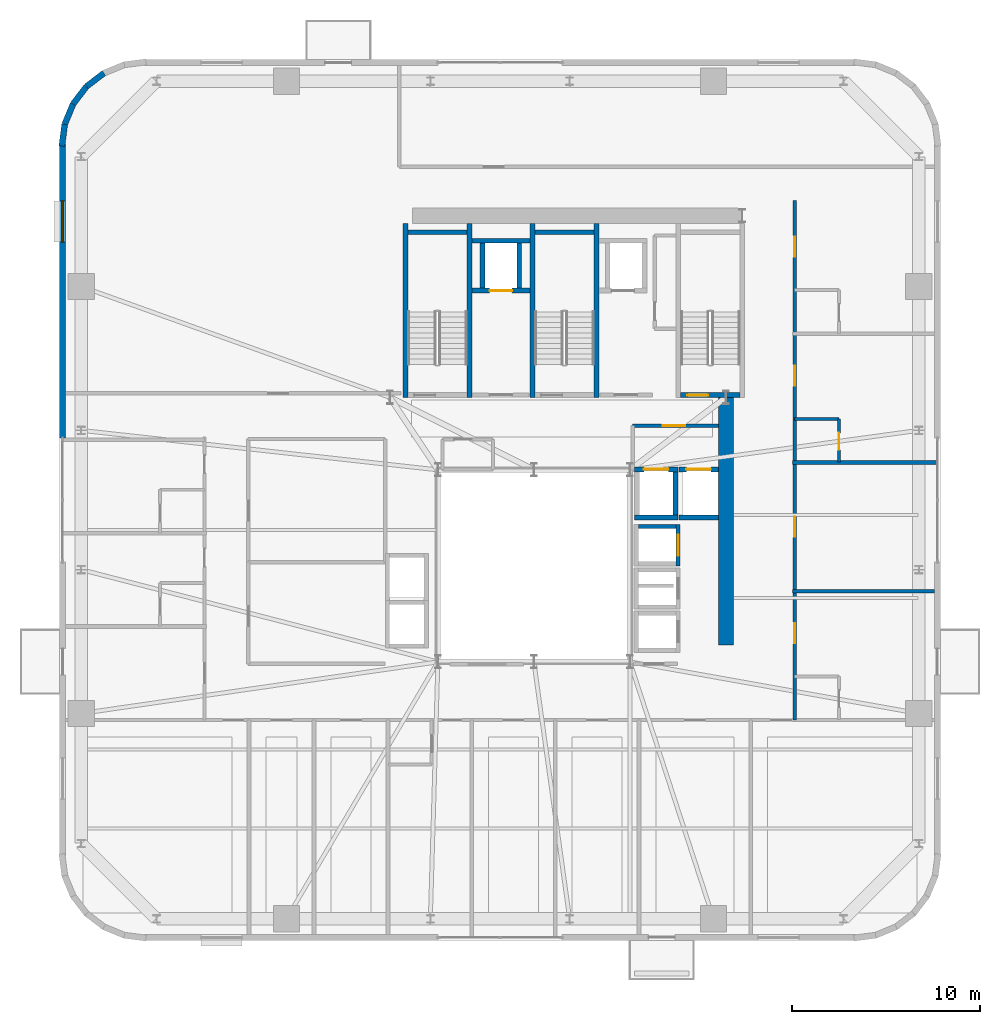
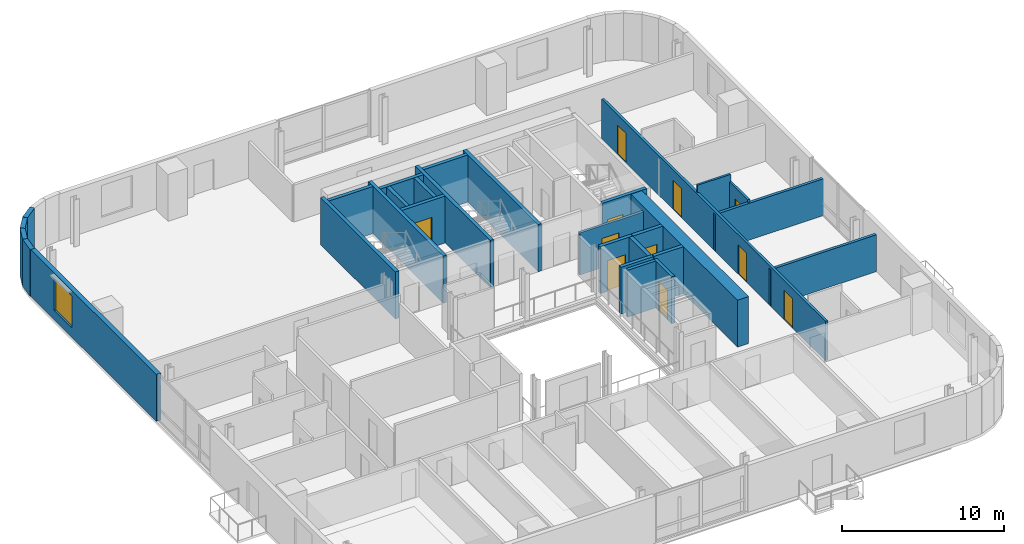
# One storey, part 9 of 12: 30 walls, 11 doors, 1 window, 12 openings.
"""IFC4 building model written with IfcOpenShell, lengths in metres."""

import ifcopenshell
import ifcopenshell.guid

model = None  # the IFC model being written
_history = None  # IfcOwnerHistory: only IFC2X3 demands one
_inside = {}  # id of a spatial element -> (the spatial element, [elements in it])
_under = {}  # id of a project, library or spatial element -> (it, [spatial elements below it])
_declared = {}  # id of a project -> (the project, [libraries it declares])
_typed = {}  # id of a type object -> (the type object, [elements of that type])
_made_of = {}  # id of a material, layer set ... -> (it, [elements and type objects made of it])


def new_model(schema):
    """Start an empty IFC model of exactly this schema.

    Asked for "IFC4X3", IfcOpenShell would pick the latest addendum, in which some entities
    have other attributes; the version numbers below select the first issue.
    IFC2X3 requires an IfcOwnerHistory on every rooted entity: one is made here for all.
    """
    global model, _history
    if schema == "IFC4X3":
        model = ifcopenshell.file(schema_version=(4, 3, 0, 0))
    else:
        model = ifcopenshell.file(schema=schema)
    _inside.clear()
    _under.clear()
    _declared.clear()
    _typed.clear()
    _made_of.clear()
    _history = None
    if model.schema == "IFC2X3":
        org = make("IfcOrganization", Name="unknown")
        user = make(
            "IfcPersonAndOrganization",
            ThePerson=make("IfcPerson", FamilyName="unknown"),
            TheOrganization=org,
        )
        app = make(
            "IfcApplication",
            ApplicationDeveloper=org,
            Version="unknown",
            ApplicationFullName="unknown",
            ApplicationIdentifier="unknown",
        )
        _history = make(
            "IfcOwnerHistory",
            OwningUser=user,
            OwningApplication=app,
            ChangeAction="ADDED",
            CreationDate=0,
        )
    return model


def make(cls, **values):
    """One entity of the class cls with the attributes given. An attribute that is None is left unset."""
    return model.create_entity(
        cls, **{name: value for name, value in values.items() if value is not None}
    )


def rooted(cls, **values):
    """An entity with a GlobalId (a new one), such as an element, a storey or a relation."""
    return make(cls, GlobalId=ifcopenshell.guid.new(), OwnerHistory=_history, **values)


def si_unit(unit_type, name, prefix=None):
    """IfcSIUnit, for example si_unit("LENGTHUNIT", "METRE", prefix="MILLI")."""
    return make("IfcSIUnit", UnitType=unit_type, Prefix=prefix, Name=name)


def assignment(units):
    """IfcUnitAssignment: the units of a project."""
    return None if units is None else make("IfcUnitAssignment", Units=units)


def point(xyz):
    """IfcCartesianPoint."""
    return None if xyz is None else make("IfcCartesianPoint", Coordinates=xyz)


def direction(xyz):
    """IfcDirection."""
    return None if xyz is None else make("IfcDirection", DirectionRatios=xyz)


def frame(location, z_axis=None, x_axis=None):
    """IfcAxis2Placement3D, a coordinate frame: its origin and axes. An axis left out is left unset."""
    return make(
        "IfcAxis2Placement3D",
        Location=point(location),
        Axis=direction(z_axis),
        RefDirection=direction(x_axis),
    )


def frame_2d(location, x_axis=None):
    """IfcAxis2Placement2D, a coordinate frame in the plane: its origin and x axis."""
    return make(
        "IfcAxis2Placement2D", Location=point(location), RefDirection=direction(x_axis)
    )


def origin():
    """The frame at (0, 0, 0) with its axes left unset."""
    return frame((0.0, 0.0, 0.0))


def place(relative_to, where):
    """IfcLocalPlacement: puts the frame where relative to a parent placement (None: the world)."""
    return make(
        "IfcLocalPlacement", PlacementRelTo=relative_to, RelativePlacement=where
    )


def context(
    kind, dimensions, precision=None, world=None, true_north=None, identifier=None
):
    """IfcGeometricRepresentationContext, for example the 3D "Model" context."""
    return make(
        "IfcGeometricRepresentationContext",
        ContextIdentifier=identifier,
        ContextType=kind,
        CoordinateSpaceDimension=dimensions,
        Precision=precision,
        WorldCoordinateSystem=world,
        TrueNorth=true_north,
    )


def subcontext(parent, identifier, kind, view, scale=None):
    """IfcGeometricRepresentationSubContext, for example "Body" below "Model"."""
    return make(
        "IfcGeometricRepresentationSubContext",
        ContextIdentifier=identifier,
        ContextType=kind,
        ParentContext=parent,
        TargetScale=scale,
        TargetView=view,
    )


def project(units=None, contexts=None):
    """IfcProject with its units and contexts."""
    return rooted(
        "IfcProject",
        Name="project",
        RepresentationContexts=contexts,
        UnitsInContext=assignment(units),
    )


def spatial(cls, under=None, at=None, **own):
    """A site, building, storey or space (cls), placed at a placement, below another one or the project."""
    s = rooted(cls, ObjectPlacement=at, **own)
    if under is not None:
        _under.setdefault(under.id(), (under, []))[1].append(s)
    return s


def profile(cls, at=None, kind="AREA", **sizes):
    """A parametric profile (cls). Its sizes go by their IFC names, for example OverallWidth=200.0."""
    return make(cls, ProfileType=kind, Position=at, **sizes)


def rectangle(**sizes):
    """IfcRectangleProfileDef."""
    return profile("IfcRectangleProfileDef", **sizes)


def extrude(swept, where, along, depth):
    """IfcExtrudedAreaSolid: the profile swept, set in the frame where, extruded along a direction by depth."""
    return make(
        "IfcExtrudedAreaSolid",
        SweptArea=swept,
        Position=where,
        ExtrudedDirection=direction(along),
        Depth=depth,
    )


def shape(context_of_items, identifier, shape_type, items):
    """IfcShapeRepresentation: the items that make up one representation, for example the "Body"."""
    return make(
        "IfcShapeRepresentation",
        ContextOfItems=context_of_items,
        RepresentationIdentifier=identifier,
        RepresentationType=shape_type,
        Items=items,
    )


def source(mapping_origin, context_of_items, identifier, shape_type, items):
    """IfcRepresentationMap: a shape defined once, which mapped items show again and again."""
    return make(
        "IfcRepresentationMap",
        MappingOrigin=mapping_origin,
        MappedRepresentation=shape(context_of_items, identifier, shape_type, items),
    )


def transform(
    local_origin,
    x_axis=None,
    y_axis=None,
    z_axis=None,
    scale=None,
    scale2=None,
    scale3=None,
    uniform=True,
):
    """IfcCartesianTransformationOperator3D, or its non-uniform kind. x_axis, y_axis, z_axis: its Axis1, 2, 3."""
    if uniform:
        return make(
            "IfcCartesianTransformationOperator3D",
            Axis1=direction(x_axis),
            Axis2=direction(y_axis),
            LocalOrigin=point(local_origin),
            Scale=scale,
            Axis3=direction(z_axis),
        )
    return make(
        "IfcCartesianTransformationOperator3DnonUniform",
        Axis1=direction(x_axis),
        Axis2=direction(y_axis),
        LocalOrigin=point(local_origin),
        Scale=scale,
        Axis3=direction(z_axis),
        Scale2=scale2,
        Scale3=scale3,
    )


def mapped(mapping_source, mapping_target):
    """IfcMappedItem: shows the shape of a source again, moved by a transform."""
    return make(
        "IfcMappedItem", MappingSource=mapping_source, MappingTarget=mapping_target
    )


def material(Name=None, Category=None):
    """IfcMaterial."""
    return make("IfcMaterial", Name=Name, Category=Category)


def layer(
    of_material, thickness, ventilated=None, Name=None, Category=None, Priority=None
):
    """IfcMaterialLayer: one layer of a wall or slab, of a material (None: an air gap)."""
    return make(
        "IfcMaterialLayer",
        Material=of_material,
        LayerThickness=thickness,
        IsVentilated=ventilated,
        Name=Name,
        Category=Category,
        Priority=Priority,
    )


def layer_set(layers, Name=None):
    """IfcMaterialLayerSet."""
    return make("IfcMaterialLayerSet", MaterialLayers=layers, LayerSetName=Name)


def made_of(thing, what):
    """Note that an element or type object is made of a material, layer set ...; save() writes the relation."""
    if what is not None:
        _made_of.setdefault(what.id(), (what, []))[1].append(thing)
    return thing


def type_object(cls, material=None, **own):
    """A type object (cls), such as IfcWallType, which elements share."""
    return made_of(rooted(cls, **own), material)


def element(
    cls,
    number,
    at=None,
    inside=None,
    cuts=None,
    type_object=None,
    material=None,
    context=None,
    identifier="Body",
    shape_type=None,
    held_by="IfcProductDefinitionShape",
    body=None,
    shapes=None,
    **own,
):
    """One element of the class cls, such as IfcWall. Its Tag is "e" and its number.

    at: its placement. inside: the storey or other place that contains it. cuts: it is an
    opening in that element (IfcRelVoidsElement). A single representation is given by context,
    identifier, shape_type and body (its items); several are given by shapes. held_by: the class
    of the entity that holds the representations. save() writes the other relations.
    """
    e = rooted(cls, Tag="e%d" % number, ObjectPlacement=at, **own)
    if body is not None:
        shapes = [shape(context, identifier, shape_type, body)]
    if shapes is not None:
        e.Representation = make(held_by, Representations=shapes)
    if inside is not None:
        _inside.setdefault(inside.id(), (inside, []))[1].append(e)
    if cuts is not None:
        rooted(
            "IfcRelVoidsElement", RelatingBuildingElement=cuts, RelatedOpeningElement=e
        )
    if type_object is not None:
        _typed.setdefault(type_object.id(), (type_object, []))[1].append(e)
    return made_of(e, material)


def fill(opening, filler):
    """IfcRelFillsElement: the door or window that sits in an opening."""
    return rooted(
        "IfcRelFillsElement",
        RelatingOpeningElement=opening,
        RelatedBuildingElement=filler,
    )


def aggregate(whole, parts):
    """IfcRelAggregates: a whole, such as a stair, and the parts it consists of."""
    return rooted("IfcRelAggregates", RelatingObject=whole, RelatedObjects=parts)


def save(model, path):
    """Write the relations noted so far, then the file.

    IfcRelAggregates (storeys below a building ...), IfcRelContainedInSpatialStructure (elements
    in a storey), IfcRelDefinesByType, IfcRelAssociatesMaterial and IfcRelDeclares: one each for
    every whole, place, type object, material and project.
    """
    for whole, parts in _under.values():
        aggregate(whole, parts)
    for where, things in _inside.values():
        rooted(
            "IfcRelContainedInSpatialStructure",
            RelatedElements=things,
            RelatingStructure=where,
        )
    for kind, things in _typed.values():
        rooted("IfcRelDefinesByType", RelatedObjects=things, RelatingType=kind)
    for what, things in _made_of.values():
        rooted("IfcRelAssociatesMaterial", RelatedObjects=things, RelatingMaterial=what)
    for by, libraries in _declared.values():
        rooted("IfcRelDeclares", RelatingContext=by, RelatedDefinitions=libraries)
    model.write(path)


model = new_model("IFC4")

# Units and contexts
model_context = context("Model", 3, precision=1e-05, world=origin(), true_north=direction((0.0, 1.0)))
body_context = subcontext(model_context, "Body", "Model", "MODEL_VIEW")
ifc_project = project(units=[si_unit("LENGTHUNIT", "METRE"), si_unit("AREAUNIT", "SQUARE_METRE"), si_unit("VOLUMEUNIT", "CUBIC_METRE"), si_unit("PLANEANGLEUNIT", "RADIAN"), si_unit("MASSUNIT", "GRAM", prefix="KILO")], contexts=[model_context])

# Site, building, storey
site_placement = place(None, origin())
site = spatial("IfcSite", under=ifc_project, at=site_placement, CompositionType="ELEMENT")
building_placement = place(site_placement, origin())
building = spatial("IfcBuilding", under=site, at=building_placement, Name="Vardaveli Station Tower", CompositionType="ELEMENT")
storey_placement = place(building_placement, frame((0.0, 0.0, 214.800048828125)))
storey = spatial("IfcBuildingStorey", under=building, at=storey_placement, Name="L55", CompositionType="ELEMENT", Elevation=214.800048828125)

# Wall
ifc_material_1 = material(Name="Concrete C50/60", Category="concrete")
ifc_layer_1 = layer(ifc_material_1, 0.800048828125, Name="Concrete C50/60")
ifc_layer_set_1 = layer_set([ifc_layer_1], Name="Concrete C50/60")
wall_type_1 = type_object("IfcWallType", Name="WAL-CORE-800", PredefinedType="SHEAR", material=ifc_layer_set_1)
shared_shape_1 = source(origin(), body_context, "Body", "SweptSolid", [
    extrude(rectangle(XDim=13.14990234375, YDim=0.800048828125, at=frame_2d((6.574951171875, 0.0))), origin(), (0.0, 0.0, 1.0), 3.530029296875),
])
wall_1_placement = place(storey_placement, frame((46.5, 17.5, 0.0), z_axis=(0.0, 0.0, 1.0), x_axis=(0.0, 1.0, 0.0)))
element("IfcWall", 1, at=wall_1_placement, inside=storey, type_object=wall_type_1, Name="SW-L55-EAST2", PredefinedType="SHEAR", context=body_context, shape_type="MappedRepresentation", body=[
    mapped(shared_shape_1, transform((0.0, 0.0, 0.0), scale=1.0)),
])

# Wall, opening, window
ifc_material_2 = material(Name="Precast concrete C45/55", Category="concrete")
ifc_layer_2 = layer(ifc_material_2, 0.320068359375, Name="Precast concrete C45/55")
ifc_layer_set_2 = layer_set([ifc_layer_2], Name="Precast concrete C45/55")
wall_type_2 = type_object("IfcWallType", Name="WAL-EXT-STONE-320", PredefinedType="SOLIDWALL", material=ifc_layer_set_2)
shared_shape_2 = source(origin(), body_context, "Body", "SweptSolid", [
    extrude(rectangle(XDim=15.60009765625, YDim=0.320068359375, at=frame_2d((7.800048828125, 0.0))), origin(), (0.0, 0.0, 1.0), 3.530029296875),
])
wall_2_placement = place(storey_placement, frame((11.260009765625, 44.10009765625, 0.0), z_axis=(0.0, 0.0, 1.0), x_axis=(0.0, -1.0, 0.0)))
wall_2 = element("IfcWall", 2, at=wall_2_placement, inside=storey, type_object=wall_type_2, Name="EW-L55-W1", PredefinedType="SOLIDWALL", context=body_context, shape_type="MappedRepresentation", body=[
    mapped(shared_shape_2, transform((0.0, 0.0, 0.0), scale=1.0)),
])
shared_shape_3 = source(origin(), body_context, "Body", "SweptSolid", [
    extrude(rectangle(XDim=2.199951171875, YDim=2.39990234375, at=frame_2d((1.10009765625, 1.199951171875))), frame((0.0, 0.169921875, 0.0), z_axis=(0.0, -1.0, 0.0), x_axis=(1.0, 0.0, 0.0)), (0.0, 0.0, 1.0), 0.340087890625),
])
opening_1_placement = place(wall_2_placement, frame((3.0048828125, 0.0, 0.719970703125)))
opening_1 = element("IfcOpeningElement", 3, at=opening_1_placement, cuts=wall_2, Name="Opening W-03", PredefinedType="OPENING", context=body_context, shape_type="MappedRepresentation", body=[
    mapped(shared_shape_3, transform((0.0, 0.0, 0.0), scale=1.0)),
])
ifc_material_3 = material(Name="Low-E solar-control glass", Category="glass")
window_type = type_object("IfcWindowType", Name="WIN-LOG-2200x2400", PartitioningType="SINGLE_PANEL", PredefinedType="WINDOW", material=ifc_material_3)
shared_shape_4 = source(origin(), body_context, "Body", "SweptSolid", [
    extrude(rectangle(XDim=2.199951171875, YDim=2.39990234375, at=frame_2d((1.10009765625, 1.199951171875))), frame((0.0, 0.030029296875, 0.0), z_axis=(0.0, -1.0, 0.0), x_axis=(1.0, 0.0, 0.0)), (0.0, 0.0, 1.0), 0.06005859375),
])
window_placement = place(opening_1_placement, origin())
window = element("IfcWindow", 4, at=window_placement, inside=storey, type_object=window_type, Name="WN-L55-W1", OverallHeight=2.39990234375, OverallWidth=2.199951171875, PartitioningType="SINGLE_PANEL", PredefinedType="WINDOW", context=body_context, shape_type="MappedRepresentation", body=[
    mapped(shared_shape_4, transform((0.0, 0.0, 0.0), scale=1.0)),
])
fill(opening_1, window)

# Walls
shared_shape_5 = source(origin(), body_context, "Body", "SweptSolid", [
    extrude(rectangle(XDim=1.1689453125, YDim=0.320068359375, at=frame_2d((0.58447265625, 0.0))), origin(), (0.0, 0.0, 1.0), 3.530029296875),
])
wall_3_placement = place(storey_placement, frame((12.53125, 47.1689453125, 0.0), z_axis=(0.0, 0.0, 1.0), x_axis=(-0.608387696831, -0.793639975269, 0.0)))
element("IfcWall", 5, at=wall_3_placement, inside=storey, type_object=wall_type_2, Name="EW-L55-CR4-4", PredefinedType="SOLIDWALL", context=body_context, shape_type="MappedRepresentation", body=[
    mapped(shared_shape_5, transform((0.0, 0.0, 0.0), scale=1.0)),
])
shared_shape_6 = source(origin(), body_context, "Body", "SweptSolid", [
    extrude(rectangle(XDim=1.168701171875, YDim=0.320068359375, at=frame_2d((0.58447265625, 0.0))), origin(), (0.0, 0.0, 1.0), 3.530029296875),
])
wall_4_placement = place(storey_placement, frame((13.458740234375, 47.8798828125, 0.0), z_axis=(0.0, 0.0, 1.0), x_axis=(-0.793663520347, -0.608356981114, 0.0)))
element("IfcWall", 6, at=wall_4_placement, inside=storey, type_object=wall_type_2, Name="EW-L55-CR4-3", PredefinedType="SOLIDWALL", context=body_context, shape_type="MappedRepresentation", body=[
    mapped(shared_shape_6, transform((0.0, 0.0, 0.0), scale=1.0)),
])
shared_shape_7 = source(origin(), body_context, "Body", "SweptSolid", [
    extrude(rectangle(XDim=1.17041015625, YDim=0.320068359375, at=frame_2d((0.585205078125, 0.0))), origin(), (0.0, 0.0, 1.0), 3.530029296875),
])
wall_5_placement = place(storey_placement, frame((11.37451171875, 45.16015625, 0.0), z_axis=(0.0, 0.0, 1.0), x_axis=(-0.128295670475, -0.991735963317, 0.0)))
element("IfcWall", 7, at=wall_5_placement, inside=storey, type_object=wall_type_2, Name="EW-L55-CR4-6", PredefinedType="SOLIDWALL", context=body_context, shape_type="MappedRepresentation", body=[
    mapped(shared_shape_7, transform((0.0, 0.0, 0.0), scale=1.0)),
])
shared_shape_8 = source(origin(), body_context, "Body", "SweptSolid", [
    extrude(rectangle(XDim=1.169189453125, YDim=0.320068359375, at=frame_2d((0.58447265625, 0.0))), origin(), (0.0, 0.0, 1.0), 3.530029296875),
])
wall_6_placement = place(storey_placement, frame((11.820068359375, 46.2412109375, 0.0), z_axis=(0.0, 0.0, 1.0), x_axis=(-0.381054331552, -0.924552646638, 0.0)))
element("IfcWall", 8, at=wall_6_placement, inside=storey, type_object=wall_type_2, Name="EW-L55-CR4-5", PredefinedType="SOLIDWALL", context=body_context, shape_type="MappedRepresentation", body=[
    mapped(shared_shape_8, transform((0.0, 0.0, 0.0), scale=1.0)),
])
ifc_material_4 = material(Name="Concrete C40/50", Category="concrete")
ifc_layer_3 = layer(ifc_material_4, 0.25, Name="Concrete C40/50")
ifc_layer_set_3 = layer_set([ifc_layer_3], Name="Concrete C40/50")
wall_type_3 = type_object("IfcWallType", Name="WAL-SHAFT-250", PredefinedType="SOLIDWALL", material=ifc_layer_set_3)
shared_shape_9 = source(origin(), body_context, "Body", "SweptSolid", [
    extrude(rectangle(XDim=9.25, YDim=0.25, at=frame_2d((4.625, 0.0))), origin(), (0.0, 0.0, 1.0), 3.550048828125),
])
for number, where, z_axis, x_axis, name in (
    (9, (29.47509765625, 30.64990234375, 0.0), (0.0, 0.0, 1.0), (0.0, 1.0, 0.0), "W-L55-ST-1W"),
    (10, (32.875, 30.64990234375, 0.0), (0.0, 0.0, 1.0), (0.0, 1.0, 0.0), "W-L55-ST-1E"),
    (11, (36.22509765625, 30.64990234375, 0.0), (0.0, 0.0, 1.0), (0.0, 1.0, 0.0), "W-L55-ST-2W"),
    (12, (39.625, 30.64990234375, 0.0), (0.0, 0.0, 1.0), (0.0, 1.0, 0.0), "W-L55-ST-2E"),
):
    element("IfcWall", number, at=place(storey_placement, frame(where, z_axis=z_axis, x_axis=x_axis)), inside=storey, type_object=wall_type_3, Name=name, PredefinedType="SOLIDWALL", context=body_context, shape_type="MappedRepresentation", body=[
        mapped(shared_shape_9, transform((0.0, 0.0, 0.0), scale=1.0)),
    ])
shared_shape_10 = source(origin(), body_context, "Body", "SweptSolid", [
    extrude(rectangle(XDim=3.14990234375, YDim=0.25, at=frame_2d((1.574951171875, 0.0))), origin(), (0.0, 0.0, 1.0), 3.550048828125),
])
for number, where, z_axis, x_axis, name in (
    (13, (29.60009765625, 39.425048828125, 0.0), (0.0, 0.0, 1.0), (1.0, 0.0, 0.0), "W-L55-ST-1N"),
    (14, (36.35009765625, 39.425048828125, 0.0), (0.0, 0.0, 1.0), (1.0, 0.0, 0.0), "W-L55-ST-2N"),
):
    element("IfcWall", number, at=place(storey_placement, frame(where, z_axis=z_axis, x_axis=x_axis)), inside=storey, type_object=wall_type_3, Name=name, PredefinedType="SOLIDWALL", context=body_context, shape_type="MappedRepresentation", body=[
        mapped(shared_shape_10, transform((0.0, 0.0, 0.0), scale=1.0)),
    ])

# Wall, opening, door
wall_7_placement = place(storey_placement, frame((44.10009765625, 30.77490234375, 0.0), z_axis=(0.0, 0.0, 1.0), x_axis=(1.0, 0.0, 0.0)))
wall_7 = element("IfcWall", 15, at=wall_7_placement, inside=storey, type_object=wall_type_3, Name="W-L55-ST-3S", PredefinedType="SOLIDWALL", context=body_context, shape_type="MappedRepresentation", body=[
    mapped(shared_shape_10, transform((0.0, 0.0, 0.0), scale=1.0)),
])
shared_shape_11 = source(origin(), body_context, "Body", "SweptSolid", [
    extrude(rectangle(XDim=1.10009765625, YDim=2.199951171875, at=frame_2d((0.550048828125, 1.10009765625))), frame((0.0, 0.135009765625, 0.0), z_axis=(0.0, -1.0, 0.0), x_axis=(1.0, 0.0, 0.0)), (0.0, 0.0, 1.0), 0.27001953125),
])
opening_2_placement = place(wall_7_placement, frame((0.35009765625, 0.0, 0.0)))
opening_2 = element("IfcOpeningElement", 16, at=opening_2_placement, cuts=wall_7, Name="Opening D-04", PredefinedType="OPENING", context=body_context, shape_type="MappedRepresentation", body=[
    mapped(shared_shape_11, transform((0.0, 0.0, 0.0), scale=1.0)),
])
ifc_material_5 = material(Name="Steel smokeproof fire doorset", Category="steel")
door_type_1 = type_object("IfcDoorType", Name="DR-ST-1100x2200", OperationType="NOTDEFINED", PredefinedType="DOOR", material=ifc_material_5)
shared_shape_12 = source(origin(), body_context, "Body", "SweptSolid", [
    extrude(rectangle(XDim=1.10009765625, YDim=2.199951171875, at=frame_2d((0.550048828125, 1.10009765625))), frame((0.0, 0.02490234375, 0.0), z_axis=(0.0, -1.0, 0.0), x_axis=(1.0, 0.0, 0.0)), (0.0, 0.0, 1.0), 0.050048828125),
])
door_1_placement = place(opening_2_placement, origin())
door_1 = element("IfcDoor", 17, at=door_1_placement, inside=storey, type_object=door_type_1, Name="DST-3-L55", OperationType="SINGLE_SWING_LEFT", OverallHeight=2.199951171875, OverallWidth=1.10009765625, PredefinedType="DOOR", context=body_context, shape_type="MappedRepresentation", body=[
    mapped(shared_shape_12, transform((0.0, 0.0, 0.0), scale=1.0)),
])
fill(opening_2, door_1)

shared_shape_13 = source(origin(), body_context, "Body", "SweptSolid", [
    extrude(rectangle(XDim=3.10009765625, YDim=0.25, at=frame_2d((1.550048828125, 0.0))), origin(), (0.0, 0.0, 1.0), 3.530029296875),
])
wall_8_placement = place(storey_placement, frame((33.0, 36.324951171875, 0.0), z_axis=(0.0, 0.0, 1.0), x_axis=(1.0, 0.0, 0.0)))
wall_8 = element("IfcWall", 18, at=wall_8_placement, inside=storey, type_object=wall_type_3, Name="SHW-FFL-01-L55-S", PredefinedType="SOLIDWALL", context=body_context, shape_type="MappedRepresentation", body=[
    mapped(shared_shape_13, transform((0.0, 0.0, 0.0), scale=1.0)),
])
shared_shape_14 = source(origin(), body_context, "Body", "SweptSolid", [
    extrude(rectangle(XDim=1.199951171875, YDim=2.25, at=frame_2d((0.60009765625, 1.125))), frame((0.0, 0.135009765625, 0.0), z_axis=(0.0, -1.0, 0.0), x_axis=(1.0, 0.0, 0.0)), (0.0, 0.0, 1.0), 0.27001953125),
])
opening_3_placement = place(wall_8_placement, frame((0.949951171875, 0.0, 0.0)))
opening_3 = element("IfcOpeningElement", 19, at=opening_3_placement, cuts=wall_8, Name="Opening LD-02", PredefinedType="OPENING", context=body_context, shape_type="MappedRepresentation", body=[
    mapped(shared_shape_14, transform((0.0, 0.0, 0.0), scale=1.0)),
])
ifc_material_6 = material(Name="Brushed stainless steel", Category="steel")
door_type_2 = type_object("IfcDoorType", Name="DR-LD-1200x2250", OperationType="DOUBLE_DOOR_SLIDING", PredefinedType="DOOR", material=ifc_material_6)
shared_shape_15 = source(origin(), body_context, "Body", "SweptSolid", [
    extrude(rectangle(XDim=1.199951171875, YDim=2.25, at=frame_2d((0.60009765625, 1.125))), frame((0.0, 0.02490234375, 0.0), z_axis=(0.0, -1.0, 0.0), x_axis=(1.0, 0.0, 0.0)), (0.0, 0.0, 1.0), 0.050048828125),
])
door_2_placement = place(opening_3_placement, origin())
door_2 = element("IfcDoor", 20, at=door_2_placement, inside=storey, type_object=door_type_2, Name="LD-FFL-01-L55", OperationType="DOUBLE_DOOR_SLIDING", OverallHeight=2.25, OverallWidth=1.199951171875, PredefinedType="DOOR", context=body_context, shape_type="MappedRepresentation", body=[
    mapped(shared_shape_15, transform((0.0, 0.0, 0.0), scale=1.0)),
])
fill(opening_3, door_2)

# Walls
wall_9_placement = place(storey_placement, frame((33.0, 38.97509765625, 0.0), z_axis=(0.0, 0.0, 1.0), x_axis=(1.0, 0.0, 0.0)))
element("IfcWall", 21, at=wall_9_placement, inside=storey, type_object=wall_type_3, Name="SHW-FFL-01-L55-N", PredefinedType="SOLIDWALL", context=body_context, shape_type="MappedRepresentation", body=[
    mapped(shared_shape_13, transform((0.0, 0.0, 0.0), scale=1.0)),
])
shared_shape_16 = source(origin(), body_context, "Body", "SweptSolid", [
    extrude(rectangle(XDim=2.400146484375, YDim=0.25, at=frame_2d((1.2001953125, 0.0))), origin(), (0.0, 0.0, 1.0), 3.530029296875),
])
for number, where, z_axis, x_axis, name in (
    (22, (33.574951171875, 36.449951171875, 0.0), (0.0, 0.0, 1.0), (0.0, 1.0, 0.0), "SHW-FFL-01-L55-W"),
    (23, (35.52490234375, 36.449951171875, 0.0), (0.0, 0.0, 1.0), (0.0, 1.0, 0.0), "SHW-FFL-01-L55-E"),
):
    element("IfcWall", number, at=place(storey_placement, frame(where, z_axis=z_axis, x_axis=x_axis)), inside=storey, type_object=wall_type_3, Name=name, PredefinedType="SOLIDWALL", context=body_context, shape_type="MappedRepresentation", body=[
        mapped(shared_shape_16, transform((0.0, 0.0, 0.0), scale=1.0)),
    ])
ifc_layer_4 = layer(ifc_material_4, 0.219970703125, Name="Concrete C40/50")
ifc_layer_set_4 = layer_set([ifc_layer_4], Name="Concrete C40/50")
wall_type_4 = type_object("IfcWallType", Name="WAL-FFLOBBY-220", PredefinedType="SOLIDWALL", material=ifc_layer_set_4)
shared_shape_17 = source(origin(), body_context, "Body", "SweptSolid", [
    extrude(rectangle(XDim=2.0, YDim=0.219970703125, at=frame_2d((1.0, 0.0))), origin(), (0.0, 0.0, 1.0), 3.530029296875),
])
wall_10_placement = place(storey_placement, frame((41.85009765625, 23.784912109375, 0.0), z_axis=(0.0, 0.0, 1.0), x_axis=(1.0, 0.0, 0.0)))
element("IfcWall", 24, at=wall_10_placement, inside=storey, type_object=wall_type_4, Name="SHW-HL3-01-L55-N", PredefinedType="SOLIDWALL", context=body_context, shape_type="MappedRepresentation", body=[
    mapped(shared_shape_17, transform((0.0, 0.0, 0.0), scale=1.0)),
])

# Wall, opening, door
shared_shape_18 = source(origin(), body_context, "Body", "SweptSolid", [
    extrude(rectangle(XDim=2.18994140625, YDim=0.219970703125, at=frame_2d((1.094970703125, 0.0))), origin(), (0.0, 0.0, 1.0), 3.530029296875),
])
wall_11_placement = place(storey_placement, frame((43.9599609375, 21.705078125, 0.0), z_axis=(0.0, 0.0, 1.0), x_axis=(0.0, 1.0, 0.0)))
wall_11 = element("IfcWall", 25, at=wall_11_placement, inside=storey, type_object=wall_type_4, Name="SHW-HL3-01-L55-E", PredefinedType="SOLIDWALL", context=body_context, shape_type="MappedRepresentation", body=[
    mapped(shared_shape_18, transform((0.0, 0.0, 0.0), scale=1.0)),
])
shared_shape_19 = source(origin(), body_context, "Body", "SweptSolid", [
    extrude(rectangle(XDim=1.10009765625, YDim=2.199951171875, at=frame_2d((0.550048828125, 1.10009765625))), frame((0.0, 0.1201171875, 0.0), z_axis=(0.0, -1.0, 0.0), x_axis=(1.0, 0.0, 0.0)), (0.0, 0.0, 1.0), 0.239990234375),
])
opening_4_placement = place(wall_11_placement, frame((0.544921875, 0.0, 0.0)))
opening_4 = element("IfcOpeningElement", 26, at=opening_4_placement, cuts=wall_11, Name="Opening LD-01", PredefinedType="OPENING", context=body_context, shape_type="MappedRepresentation", body=[
    mapped(shared_shape_19, transform((0.0, 0.0, 0.0), scale=1.0)),
])
door_type_3 = type_object("IfcDoorType", Name="DR-LD-1100x2200", OperationType="DOUBLE_DOOR_SLIDING", PredefinedType="DOOR", material=ifc_material_6)
door_3_placement = place(opening_4_placement, origin())
door_3 = element("IfcDoor", 27, at=door_3_placement, inside=storey, type_object=door_type_3, Name="LD-HL3-01-L55", OperationType="DOUBLE_DOOR_SLIDING", OverallHeight=2.199951171875, OverallWidth=1.10009765625, PredefinedType="DOOR", context=body_context, shape_type="MappedRepresentation", body=[
    mapped(shared_shape_12, transform((0.0, 0.0, 0.0), scale=1.0)),
])
fill(opening_4, door_3)

# Wall
shared_shape_20 = source(origin(), body_context, "Body", "SweptSolid", [
    extrude(rectangle(XDim=2.300048828125, YDim=0.25, at=frame_2d((1.14990234375, 0.0))), origin(), (0.0, 0.0, 1.0), 3.530029296875),
])
wall_12_placement = place(storey_placement, frame((41.64990234375, 24.27490234375, 0.0), z_axis=(0.0, 0.0, 1.0), x_axis=(1.0, 0.0, 0.0)))
element("IfcWall", 28, at=wall_12_placement, inside=storey, type_object=wall_type_3, Name="SHW-SRV-01-L55-S", PredefinedType="SOLIDWALL", context=body_context, shape_type="MappedRepresentation", body=[
    mapped(shared_shape_20, transform((0.0, 0.0, 0.0), scale=1.0)),
])

# Wall, opening, door
wall_13_placement = place(storey_placement, frame((41.64990234375, 26.824951171875, 0.0), z_axis=(0.0, 0.0, 1.0), x_axis=(1.0, 0.0, 0.0)))
wall_13 = element("IfcWall", 29, at=wall_13_placement, inside=storey, type_object=wall_type_3, Name="SHW-SRV-01-L55-N", PredefinedType="SOLIDWALL", context=body_context, shape_type="MappedRepresentation", body=[
    mapped(shared_shape_20, transform((0.0, 0.0, 0.0), scale=1.0)),
])
shared_shape_21 = source(origin(), body_context, "Body", "SweptSolid", [
    extrude(rectangle(XDim=1.300048828125, YDim=2.300048828125, at=frame_2d((0.64990234375, 1.14990234375))), frame((0.0, 0.135009765625, 0.0), z_axis=(0.0, -1.0, 0.0), x_axis=(1.0, 0.0, 0.0)), (0.0, 0.0, 1.0), 0.27001953125),
])
opening_5_placement = place(wall_13_placement, frame((0.5, 0.0, 0.0)))
opening_5 = element("IfcOpeningElement", 30, at=opening_5_placement, cuts=wall_13, Name="Opening LD-03", PredefinedType="OPENING", context=body_context, shape_type="MappedRepresentation", body=[
    mapped(shared_shape_21, transform((0.0, 0.0, 0.0), scale=1.0)),
])
door_type_4 = type_object("IfcDoorType", Name="DR-LD-1300x2300", OperationType="DOUBLE_DOOR_SLIDING", PredefinedType="DOOR", material=ifc_material_6)
shared_shape_22 = source(origin(), body_context, "Body", "SweptSolid", [
    extrude(rectangle(XDim=1.300048828125, YDim=2.300048828125, at=frame_2d((0.64990234375, 1.14990234375))), frame((0.0, 0.02490234375, 0.0), z_axis=(0.0, -1.0, 0.0), x_axis=(1.0, 0.0, 0.0)), (0.0, 0.0, 1.0), 0.050048828125),
])
door_4_placement = place(opening_5_placement, origin())
door_4 = element("IfcDoor", 31, at=door_4_placement, inside=storey, type_object=door_type_4, Name="LD-SRV-01-L55", OperationType="DOUBLE_DOOR_SLIDING", OverallHeight=2.300048828125, OverallWidth=1.300048828125, PredefinedType="DOOR", context=body_context, shape_type="MappedRepresentation", body=[
    mapped(shared_shape_22, transform((0.0, 0.0, 0.0), scale=1.0)),
])
fill(opening_5, door_4)

# Walls
wall_14_placement = place(storey_placement, frame((43.824951171875, 24.39990234375, 0.0), z_axis=(0.0, 0.0, 1.0), x_axis=(0.0, 1.0, 0.0)))
element("IfcWall", 32, at=wall_14_placement, inside=storey, type_object=wall_type_3, Name="SHW-SRV-01-L55-E", PredefinedType="SOLIDWALL", context=body_context, shape_type="MappedRepresentation", body=[
    mapped(shared_shape_20, transform((0.0, 0.0, 0.0), scale=1.0)),
])
shared_shape_23 = source(origin(), body_context, "Body", "SweptSolid", [
    extrude(rectangle(XDim=2.10009765625, YDim=0.25, at=frame_2d((1.050048828125, 0.0))), origin(), (0.0, 0.0, 1.0), 3.530029296875),
])
wall_15_placement = place(storey_placement, frame((44.0, 24.27490234375, 0.0), z_axis=(0.0, 0.0, 1.0), x_axis=(1.0, 0.0, 0.0)))
element("IfcWall", 33, at=wall_15_placement, inside=storey, type_object=wall_type_3, Name="SHW-SRV-02-L55-S", PredefinedType="SOLIDWALL", context=body_context, shape_type="MappedRepresentation", body=[
    mapped(shared_shape_23, transform((0.0, 0.0, 0.0), scale=1.0)),
])

# Wall, opening, door
wall_16_placement = place(storey_placement, frame((44.0, 26.824951171875, 0.0), z_axis=(0.0, 0.0, 1.0), x_axis=(1.0, 0.0, 0.0)))
wall_16 = element("IfcWall", 34, at=wall_16_placement, inside=storey, type_object=wall_type_3, Name="SHW-SRV-02-L55-N", PredefinedType="SOLIDWALL", context=body_context, shape_type="MappedRepresentation", body=[
    mapped(shared_shape_23, transform((0.0, 0.0, 0.0), scale=1.0)),
])
opening_6_placement = place(wall_16_placement, frame((0.39990234375, 0.0, 0.0)))
opening_6 = element("IfcOpeningElement", 35, at=opening_6_placement, cuts=wall_16, Name="Opening LD-03", PredefinedType="OPENING", context=body_context, shape_type="MappedRepresentation", body=[
    mapped(shared_shape_21, transform((0.0, 0.0, 0.0), scale=1.0)),
])
door_5_placement = place(opening_6_placement, origin())
door_5 = element("IfcDoor", 36, at=door_5_placement, inside=storey, type_object=door_type_4, Name="LD-SRV-02-L55", OperationType="DOUBLE_DOOR_SLIDING", OverallHeight=2.300048828125, OverallWidth=1.300048828125, PredefinedType="DOOR", context=body_context, shape_type="MappedRepresentation", body=[
    mapped(shared_shape_22, transform((0.0, 0.0, 0.0), scale=1.0)),
])
fill(opening_6, door_5)

# Wall, openings, doors
ifc_material_7 = material(Name="Fire-rated gypsum stud partition")
ifc_layer_5 = layer(ifc_material_7, 0.179931640625, Name="Fire-rated gypsum stud partition")
ifc_layer_set_5 = layer_set([ifc_layer_5], Name="Fire-rated gypsum stud partition")
wall_type_5 = type_object("IfcWallType", Name="WAL-CORR-180", PredefinedType="PARTITIONING", material=ifc_layer_set_5)
shared_shape_24 = source(origin(), body_context, "Body", "SweptSolid", [
    extrude(rectangle(XDim=27.590087890625, YDim=0.179931640625, at=frame_2d((13.794921875, 0.0))), origin(), (0.0, 0.0, 1.0), 2.971923828125),
])
wall_17_placement = place(storey_placement, frame((50.14990234375, 13.510009765625, 0.0), z_axis=(0.0, 0.0, 1.0), x_axis=(0.0, 1.0, 0.0)))
wall_17 = element("IfcWall", 37, at=wall_17_placement, inside=storey, type_object=wall_type_5, Name="W-L55-CE", PredefinedType="PARTITIONING", context=body_context, shape_type="MappedRepresentation", body=[
    mapped(shared_shape_24, transform((0.0, 0.0, 0.0), scale=1.0)),
])
shared_shape_25 = source(origin(), body_context, "Body", "SweptSolid", [
    extrude(rectangle(XDim=1.050048828125, YDim=2.199951171875, at=frame_2d((0.52490234375, 1.10009765625))), frame((0.0, 0.10009765625, 0.0), z_axis=(0.0, -1.0, 0.0), x_axis=(1.0, 0.0, 0.0)), (0.0, 0.0, 1.0), 0.199951171875),
])
opening_7_placement = place(wall_17_placement, frame((4.086181640625, 0.0, 0.0)))
opening_7 = element("IfcOpeningElement", 38, at=opening_7_placement, cuts=wall_17, Name="Opening D-05", PredefinedType="OPENING", context=body_context, shape_type="MappedRepresentation", body=[
    mapped(shared_shape_25, transform((0.0, 0.0, 0.0), scale=1.0)),
])
opening_8_placement = place(wall_17_placement, frame((9.743896484375, 0.0, 0.0)))
opening_8 = element("IfcOpeningElement", 39, at=opening_8_placement, cuts=wall_17, Name="Opening D-05", PredefinedType="OPENING", context=body_context, shape_type="MappedRepresentation", body=[
    mapped(shared_shape_25, transform((0.0, 0.0, 0.0), scale=1.0)),
])
opening_9_placement = place(wall_17_placement, frame((17.771240234375, 0.0, 0.0)))
opening_9 = element("IfcOpeningElement", 40, at=opening_9_placement, cuts=wall_17, Name="Opening D-05", PredefinedType="OPENING", context=body_context, shape_type="MappedRepresentation", body=[
    mapped(shared_shape_25, transform((0.0, 0.0, 0.0), scale=1.0)),
])
opening_10_placement = place(wall_17_placement, frame((24.61376953125, 0.0, 0.0)))
opening_10 = element("IfcOpeningElement", 41, at=opening_10_placement, cuts=wall_17, Name="Opening D-05", PredefinedType="OPENING", context=body_context, shape_type="MappedRepresentation", body=[
    mapped(shared_shape_25, transform((0.0, 0.0, 0.0), scale=1.0)),
])
ifc_material_8 = material(Name="Walnut veneer acoustic fire door")
door_type_5 = type_object("IfcDoorType", Name="DR-SUITE-1050x2200", OperationType="NOTDEFINED", PredefinedType="DOOR", material=ifc_material_8)
shared_shape_26 = source(origin(), body_context, "Body", "SweptSolid", [
    extrude(rectangle(XDim=1.050048828125, YDim=2.199951171875, at=frame_2d((0.52490234375, 1.10009765625))), frame((0.0, 0.02490234375, 0.0), z_axis=(0.0, -1.0, 0.0), x_axis=(1.0, 0.0, 0.0)), (0.0, 0.0, 1.0), 0.050048828125),
])
door_6_placement = place(opening_7_placement, origin())
door_6 = element("IfcDoor", 42, at=door_6_placement, inside=storey, type_object=door_type_5, Name="D-L55-GE1", OperationType="SINGLE_SWING_RIGHT", OverallHeight=2.199951171875, OverallWidth=1.050048828125, PredefinedType="DOOR", context=body_context, shape_type="MappedRepresentation", body=[
    mapped(shared_shape_26, transform((0.0, 0.0, 0.0), scale=1.0)),
])
fill(opening_7, door_6)
door_7_placement = place(opening_8_placement, origin())
door_7 = element("IfcDoor", 43, at=door_7_placement, inside=storey, type_object=door_type_5, Name="D-L55-GE2", OperationType="SINGLE_SWING_LEFT", OverallHeight=2.199951171875, OverallWidth=1.050048828125, PredefinedType="DOOR", context=body_context, shape_type="MappedRepresentation", body=[
    mapped(shared_shape_26, transform((0.0, 0.0, 0.0), scale=1.0)),
])
fill(opening_8, door_7)
door_8_placement = place(opening_9_placement, origin())
door_8 = element("IfcDoor", 44, at=door_8_placement, inside=storey, type_object=door_type_5, Name="D-L55-GE3", OperationType="SINGLE_SWING_RIGHT", OverallHeight=2.199951171875, OverallWidth=1.050048828125, PredefinedType="DOOR", context=body_context, shape_type="MappedRepresentation", body=[
    mapped(shared_shape_26, transform((0.0, 0.0, 0.0), scale=1.0)),
])
fill(opening_9, door_8)
door_9_placement = place(opening_10_placement, origin())
door_9 = element("IfcDoor", 45, at=door_9_placement, inside=storey, type_object=door_type_5, Name="D-L55-GE4", OperationType="SINGLE_SWING_LEFT", OverallHeight=2.199951171875, OverallWidth=1.050048828125, PredefinedType="DOOR", context=body_context, shape_type="MappedRepresentation", body=[
    mapped(shared_shape_26, transform((0.0, 0.0, 0.0), scale=1.0)),
])
fill(opening_10, door_9)

# Wall, opening, door
shared_shape_27 = source(origin(), body_context, "Body", "SweptSolid", [
    extrude(rectangle(XDim=4.5478515625, YDim=0.179931640625, at=frame_2d((2.27392578125, 0.0))), origin(), (0.0, 0.0, 1.0), 3.161865234375),
])
wall_18_placement = place(storey_placement, frame((41.550048828125, 29.14990234375, 0.0), z_axis=(0.0, 0.0, 1.0), x_axis=(1.0, 0.0, 0.0)))
wall_18 = element("IfcWall", 46, at=wall_18_placement, inside=storey, type_object=wall_type_5, Name="W-L55-SVFN", PredefinedType="PARTITIONING", context=body_context, shape_type="MappedRepresentation", body=[
    mapped(shared_shape_27, transform((0.0, 0.0, 0.0), scale=1.0)),
])
shared_shape_28 = source(origin(), body_context, "Body", "SweptSolid", [
    extrude(rectangle(XDim=1.199951171875, YDim=2.199951171875, at=frame_2d((0.60009765625, 1.10009765625))), frame((0.0, 0.10009765625, 0.0), z_axis=(0.0, -1.0, 0.0), x_axis=(1.0, 0.0, 0.0)), (0.0, 0.0, 1.0), 0.199951171875),
])
opening_11_placement = place(wall_18_placement, frame((1.60009765625, 0.0, 0.0)))
opening_11 = element("IfcOpeningElement", 47, at=opening_11_placement, cuts=wall_18, Name="Opening D-03", PredefinedType="OPENING", context=body_context, shape_type="MappedRepresentation", body=[
    mapped(shared_shape_28, transform((0.0, 0.0, 0.0), scale=1.0)),
])
door_type_6 = type_object("IfcDoorType", Name="DR-FFL-1200x2200", OperationType="NOTDEFINED", PredefinedType="DOOR", material=ifc_material_5)
shared_shape_29 = source(origin(), body_context, "Body", "SweptSolid", [
    extrude(rectangle(XDim=1.199951171875, YDim=2.199951171875, at=frame_2d((0.60009765625, 1.10009765625))), frame((0.0, 0.02490234375, 0.0), z_axis=(0.0, -1.0, 0.0), x_axis=(1.0, 0.0, 0.0)), (0.0, 0.0, 1.0), 0.050048828125),
])
door_10_placement = place(opening_11_placement, origin())
door_10 = element("IfcDoor", 48, at=door_10_placement, inside=storey, type_object=door_type_6, Name="D-L55-SVF", OperationType="SINGLE_SWING_LEFT", OverallHeight=2.199951171875, OverallWidth=1.199951171875, PredefinedType="DOOR", context=body_context, shape_type="MappedRepresentation", body=[
    mapped(shared_shape_29, transform((0.0, 0.0, 0.0), scale=1.0)),
])
fill(opening_11, door_10)

ifc_material_9 = material(Name="Moisture-resistant stud partition")
ifc_layer_6 = layer(ifc_material_9, 0.14990234375, Name="Moisture-resistant stud partition")
ifc_layer_set_6 = layer_set([ifc_layer_6], Name="Moisture-resistant stud partition")
wall_type_6 = type_object("IfcWallType", Name="WAL-WET-150", PredefinedType="PARTITIONING", material=ifc_layer_set_6)
shared_shape_30 = source(origin(), body_context, "Body", "SweptSolid", [
    extrude(rectangle(XDim=2.289794921875, YDim=0.14990234375, at=frame_2d((1.14501953125, 0.0))), origin(), (0.0, 0.0, 1.0), 2.971923828125),
])
wall_19_placement = place(storey_placement, frame((52.510009765625, 27.215087890625, 0.0), z_axis=(0.0, 0.0, 1.0), x_axis=(0.0, 1.0, 0.0)))
wall_19 = element("IfcWall", 49, at=wall_19_placement, inside=storey, type_object=wall_type_6, Name="W-L55-BE3-E", PredefinedType="PARTITIONING", context=body_context, shape_type="MappedRepresentation", body=[
    mapped(shared_shape_30, transform((0.0, 0.0, 0.0), scale=1.0)),
])
shared_shape_31 = source(origin(), body_context, "Body", "SweptSolid", [
    extrude(rectangle(XDim=0.89990234375, YDim=2.10009765625, at=frame_2d((0.449951171875, 1.050048828125))), frame((0.0, 0.0849609375, 0.0), z_axis=(0.0, -1.0, 0.0), x_axis=(1.0, 0.0, 0.0)), (0.0, 0.0, 1.0), 0.169921875),
])
opening_12_placement = place(wall_19_placement, frame((0.64990234375, 0.0, 0.0)))
opening_12 = element("IfcOpeningElement", 50, at=opening_12_placement, cuts=wall_19, Name="Opening D-08", PredefinedType="OPENING", context=body_context, shape_type="MappedRepresentation", body=[
    mapped(shared_shape_31, transform((0.0, 0.0, 0.0), scale=1.0)),
])
ifc_material_10 = material(Name="Moisture-resistant oak door")
door_type_7 = type_object("IfcDoorType", Name="DR-BATH-900x2100", OperationType="NOTDEFINED", PredefinedType="DOOR", material=ifc_material_10)
shared_shape_32 = source(origin(), body_context, "Body", "SweptSolid", [
    extrude(rectangle(XDim=0.89990234375, YDim=2.10009765625, at=frame_2d((0.449951171875, 1.050048828125))), frame((0.0, 0.02490234375, 0.0), z_axis=(0.0, -1.0, 0.0), x_axis=(1.0, 0.0, 0.0)), (0.0, 0.0, 1.0), 0.050048828125),
])
door_11_placement = place(opening_12_placement, origin())
door_11 = element("IfcDoor", 51, at=door_11_placement, inside=storey, type_object=door_type_7, Name="D-L55-BE3", OperationType="SINGLE_SWING_RIGHT", OverallHeight=2.10009765625, OverallWidth=0.89990234375, PredefinedType="DOOR", context=body_context, shape_type="MappedRepresentation", body=[
    mapped(shared_shape_32, transform((0.0, 0.0, 0.0), scale=1.0)),
])
fill(opening_12, door_11)

# Walls
ifc_material_11 = material(Name="Acoustic twin-stud gypsum partition")
ifc_layer_7 = layer(ifc_material_11, 0.199951171875, Name="Acoustic twin-stud gypsum partition")
ifc_layer_set_7 = layer_set([ifc_layer_7], Name="Acoustic twin-stud gypsum partition")
wall_type_7 = type_object("IfcWallType", Name="WAL-PARTY-200", PredefinedType="PARTITIONING", material=ifc_layer_set_7)
shared_shape_33 = source(origin(), body_context, "Body", "SweptSolid", [
    extrude(rectangle(XDim=7.52783203125, YDim=0.199951171875, at=frame_2d((3.763916015625, 0.0))), origin(), (0.0, 0.0, 1.0), 2.77197265625),
])
wall_20_placement = place(storey_placement, frame((50.050048828125, 20.35205078125, 0.0), z_axis=(0.0, 0.0, 1.0), x_axis=(1.0, 0.0, 0.0)))
element("IfcWall", 52, at=wall_20_placement, inside=storey, type_object=wall_type_7, Name="W-L55-PE1", PredefinedType="PARTITIONING", context=body_context, shape_type="MappedRepresentation", body=[
    mapped(shared_shape_33, transform((0.0, 0.0, 0.0), scale=1.0)),
])
shared_shape_34 = source(origin(), body_context, "Body", "SweptSolid", [
    extrude(rectangle(XDim=7.719970703125, YDim=0.199951171875, at=frame_2d((3.85986328125, 0.0))), origin(), (0.0, 0.0, 1.0), 2.77197265625),
])
wall_21_placement = place(storey_placement, frame((50.050048828125, 27.195068359375, 0.0), z_axis=(0.0, 0.0, 1.0), x_axis=(1.0, 0.0, 0.0)))
element("IfcWall", 53, at=wall_21_placement, inside=storey, type_object=wall_type_7, Name="W-L55-PE2", PredefinedType="PARTITIONING", context=body_context, shape_type="MappedRepresentation", body=[
    mapped(shared_shape_34, transform((0.0, 0.0, 0.0), scale=1.0)),
])
shared_shape_35 = source(origin(), body_context, "Body", "SweptSolid", [
    extrude(rectangle(XDim=2.360107421875, YDim=0.14990234375, at=frame_2d((1.18017578125, 0.0))), origin(), (0.0, 0.0, 1.0), 3.530029296875),
])
wall_22_placement = place(storey_placement, frame((50.14990234375, 29.5048828125, 0.0), z_axis=(0.0, 0.0, 1.0), x_axis=(1.0, 0.0, 0.0)))
element("IfcWall", 54, at=wall_22_placement, inside=storey, type_object=wall_type_6, Name="W-L55-BE3-N", PredefinedType="PARTITIONING", context=body_context, shape_type="MappedRepresentation", body=[
    mapped(shared_shape_35, transform((0.0, 0.0, 0.0), scale=1.0)),
])

save(model, "model.ifc")
